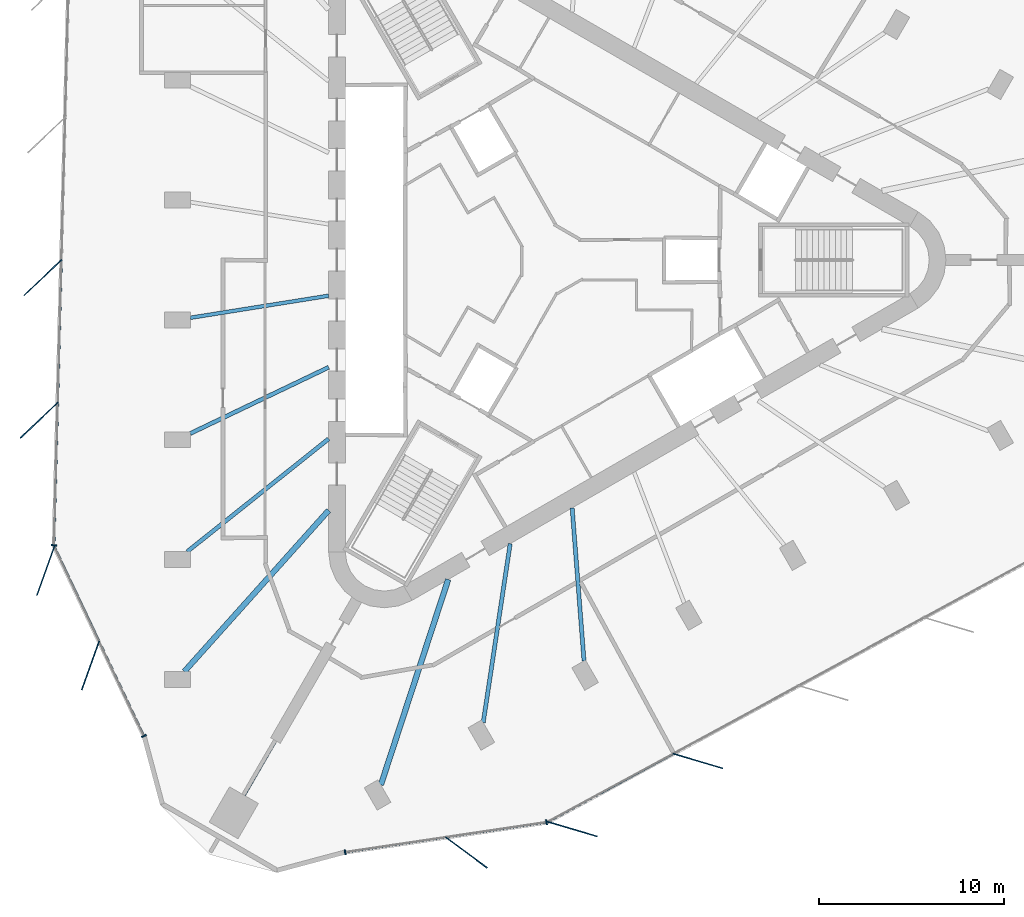
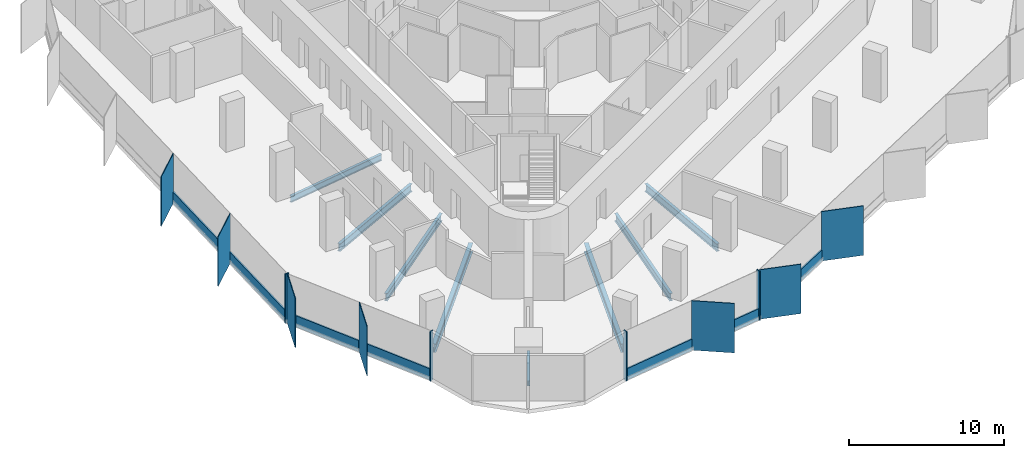
# One storey, part 2 of 13: 18 members, 8 beams, 4 elements without a shape of their own.
"""IFC4 building model written with IfcOpenShell, lengths in metres."""

import ifcopenshell
import ifcopenshell.guid

model = None  # the IFC model being written
_history = None  # IfcOwnerHistory: only IFC2X3 demands one
_inside = {}  # id of a spatial element -> (the spatial element, [elements in it])
_under = {}  # id of a project, library or spatial element -> (it, [spatial elements below it])
_declared = {}  # id of a project -> (the project, [libraries it declares])
_typed = {}  # id of a type object -> (the type object, [elements of that type])
_made_of = {}  # id of a material, layer set ... -> (it, [elements and type objects made of it])


def new_model(schema):
    """Start an empty IFC model of exactly this schema.

    Asked for "IFC4X3", IfcOpenShell would pick the latest addendum, in which some entities
    have other attributes; the version numbers below select the first issue.
    IFC2X3 requires an IfcOwnerHistory on every rooted entity: one is made here for all.
    """
    global model, _history
    if schema == "IFC4X3":
        model = ifcopenshell.file(schema_version=(4, 3, 0, 0))
    else:
        model = ifcopenshell.file(schema=schema)
    _inside.clear()
    _under.clear()
    _declared.clear()
    _typed.clear()
    _made_of.clear()
    _history = None
    if model.schema == "IFC2X3":
        org = make("IfcOrganization", Name="unknown")
        user = make(
            "IfcPersonAndOrganization",
            ThePerson=make("IfcPerson", FamilyName="unknown"),
            TheOrganization=org,
        )
        app = make(
            "IfcApplication",
            ApplicationDeveloper=org,
            Version="unknown",
            ApplicationFullName="unknown",
            ApplicationIdentifier="unknown",
        )
        _history = make(
            "IfcOwnerHistory",
            OwningUser=user,
            OwningApplication=app,
            ChangeAction="ADDED",
            CreationDate=0,
        )
    return model


def make(cls, **values):
    """One entity of the class cls with the attributes given. An attribute that is None is left unset."""
    return model.create_entity(
        cls, **{name: value for name, value in values.items() if value is not None}
    )


def rooted(cls, **values):
    """An entity with a GlobalId (a new one), such as an element, a storey or a relation."""
    return make(cls, GlobalId=ifcopenshell.guid.new(), OwnerHistory=_history, **values)


def si_unit(unit_type, name, prefix=None):
    """IfcSIUnit, for example si_unit("LENGTHUNIT", "METRE", prefix="MILLI")."""
    return make("IfcSIUnit", UnitType=unit_type, Prefix=prefix, Name=name)


def assignment(units):
    """IfcUnitAssignment: the units of a project."""
    return None if units is None else make("IfcUnitAssignment", Units=units)


def point(xyz):
    """IfcCartesianPoint."""
    return None if xyz is None else make("IfcCartesianPoint", Coordinates=xyz)


def direction(xyz):
    """IfcDirection."""
    return None if xyz is None else make("IfcDirection", DirectionRatios=xyz)


def frame(location, z_axis=None, x_axis=None):
    """IfcAxis2Placement3D, a coordinate frame: its origin and axes. An axis left out is left unset."""
    return make(
        "IfcAxis2Placement3D",
        Location=point(location),
        Axis=direction(z_axis),
        RefDirection=direction(x_axis),
    )


def frame_2d(location, x_axis=None):
    """IfcAxis2Placement2D, a coordinate frame in the plane: its origin and x axis."""
    return make(
        "IfcAxis2Placement2D", Location=point(location), RefDirection=direction(x_axis)
    )


def origin():
    """The frame at (0, 0, 0) with its axes left unset."""
    return frame((0.0, 0.0, 0.0))


def origin_2d():
    """The frame at (0, 0) in the plane with its x axis left unset."""
    return frame_2d((0.0, 0.0))


def place(relative_to, where):
    """IfcLocalPlacement: puts the frame where relative to a parent placement (None: the world)."""
    return make(
        "IfcLocalPlacement", PlacementRelTo=relative_to, RelativePlacement=where
    )


def context(
    kind, dimensions, precision=None, world=None, true_north=None, identifier=None
):
    """IfcGeometricRepresentationContext, for example the 3D "Model" context."""
    return make(
        "IfcGeometricRepresentationContext",
        ContextIdentifier=identifier,
        ContextType=kind,
        CoordinateSpaceDimension=dimensions,
        Precision=precision,
        WorldCoordinateSystem=world,
        TrueNorth=true_north,
    )


def subcontext(parent, identifier, kind, view, scale=None):
    """IfcGeometricRepresentationSubContext, for example "Body" below "Model"."""
    return make(
        "IfcGeometricRepresentationSubContext",
        ContextIdentifier=identifier,
        ContextType=kind,
        ParentContext=parent,
        TargetScale=scale,
        TargetView=view,
    )


def project(units=None, contexts=None):
    """IfcProject with its units and contexts."""
    return rooted(
        "IfcProject",
        Name="project",
        RepresentationContexts=contexts,
        UnitsInContext=assignment(units),
    )


def spatial(cls, under=None, at=None, **own):
    """A site, building, storey or space (cls), placed at a placement, below another one or the project."""
    s = rooted(cls, ObjectPlacement=at, **own)
    if under is not None:
        _under.setdefault(under.id(), (under, []))[1].append(s)
    return s


def profile(cls, at=None, kind="AREA", **sizes):
    """A parametric profile (cls). Its sizes go by their IFC names, for example OverallWidth=200.0."""
    return make(cls, ProfileType=kind, Position=at, **sizes)


def rectangle(**sizes):
    """IfcRectangleProfileDef."""
    return profile("IfcRectangleProfileDef", **sizes)


def i_section(**sizes):
    """IfcIShapeProfileDef."""
    return profile("IfcIShapeProfileDef", **sizes)


def extrude(swept, where, along, depth):
    """IfcExtrudedAreaSolid: the profile swept, set in the frame where, extruded along a direction by depth."""
    return make(
        "IfcExtrudedAreaSolid",
        SweptArea=swept,
        Position=where,
        ExtrudedDirection=direction(along),
        Depth=depth,
    )


def shape(context_of_items, identifier, shape_type, items):
    """IfcShapeRepresentation: the items that make up one representation, for example the "Body"."""
    return make(
        "IfcShapeRepresentation",
        ContextOfItems=context_of_items,
        RepresentationIdentifier=identifier,
        RepresentationType=shape_type,
        Items=items,
    )


def material(Name=None, Category=None):
    """IfcMaterial."""
    return make("IfcMaterial", Name=Name, Category=Category)


def material_profile(
    of_material, cross_section, Name=None, Category=None, Priority=None
):
    """IfcMaterialProfile: a cross section and its material."""
    return make(
        "IfcMaterialProfile",
        Name=Name,
        Material=of_material,
        Profile=cross_section,
        Priority=Priority,
        Category=Category,
    )


def profile_set(profiles, Name=None, composite=None):
    """IfcMaterialProfileSet."""
    return make(
        "IfcMaterialProfileSet",
        Name=Name,
        MaterialProfiles=profiles,
        CompositeProfile=composite,
    )


def made_of(thing, what):
    """Note that an element or type object is made of a material, layer set ...; save() writes the relation."""
    if what is not None:
        _made_of.setdefault(what.id(), (what, []))[1].append(thing)
    return thing


def type_object(cls, material=None, **own):
    """A type object (cls), such as IfcWallType, which elements share."""
    return made_of(rooted(cls, **own), material)


def element(
    cls,
    number,
    at=None,
    inside=None,
    cuts=None,
    type_object=None,
    material=None,
    context=None,
    identifier="Body",
    shape_type=None,
    held_by="IfcProductDefinitionShape",
    body=None,
    shapes=None,
    **own,
):
    """One element of the class cls, such as IfcWall. Its Tag is "e" and its number.

    at: its placement. inside: the storey or other place that contains it. cuts: it is an
    opening in that element (IfcRelVoidsElement). A single representation is given by context,
    identifier, shape_type and body (its items); several are given by shapes. held_by: the class
    of the entity that holds the representations. save() writes the other relations.
    """
    e = rooted(cls, Tag="e%d" % number, ObjectPlacement=at, **own)
    if body is not None:
        shapes = [shape(context, identifier, shape_type, body)]
    if shapes is not None:
        e.Representation = make(held_by, Representations=shapes)
    if inside is not None:
        _inside.setdefault(inside.id(), (inside, []))[1].append(e)
    if cuts is not None:
        rooted(
            "IfcRelVoidsElement", RelatingBuildingElement=cuts, RelatedOpeningElement=e
        )
    if type_object is not None:
        _typed.setdefault(type_object.id(), (type_object, []))[1].append(e)
    return made_of(e, material)


def aggregate(whole, parts):
    """IfcRelAggregates: a whole, such as a stair, and the parts it consists of."""
    return rooted("IfcRelAggregates", RelatingObject=whole, RelatedObjects=parts)


def save(model, path):
    """Write the relations noted so far, then the file.

    IfcRelAggregates (storeys below a building ...), IfcRelContainedInSpatialStructure (elements
    in a storey), IfcRelDefinesByType, IfcRelAssociatesMaterial and IfcRelDeclares: one each for
    every whole, place, type object, material and project.
    """
    for whole, parts in _under.values():
        aggregate(whole, parts)
    for where, things in _inside.values():
        rooted(
            "IfcRelContainedInSpatialStructure",
            RelatedElements=things,
            RelatingStructure=where,
        )
    for kind, things in _typed.values():
        rooted("IfcRelDefinesByType", RelatedObjects=things, RelatingType=kind)
    for what, things in _made_of.values():
        rooted("IfcRelAssociatesMaterial", RelatedObjects=things, RelatingMaterial=what)
    for by, libraries in _declared.values():
        rooted("IfcRelDeclares", RelatingContext=by, RelatedDefinitions=libraries)
    model.write(path)


model = new_model("IFC4")

# Units and contexts
model_context = context("Model", 3, precision=1e-05, world=origin(), true_north=direction((0.0, 1.0)))
body_context = subcontext(model_context, "Body", "Model", "MODEL_VIEW")
ifc_project = project(units=[si_unit("LENGTHUNIT", "METRE"), si_unit("AREAUNIT", "SQUARE_METRE"), si_unit("VOLUMEUNIT", "CUBIC_METRE"), si_unit("PLANEANGLEUNIT", "RADIAN"), si_unit("MASSUNIT", "GRAM", prefix="KILO")], contexts=[model_context])

# Site, building, storey
site_placement = place(None, origin())
site = spatial("IfcSite", under=ifc_project, at=site_placement, CompositionType="ELEMENT")
building_placement = place(site_placement, origin())
building = spatial("IfcBuilding", under=site, at=building_placement, Name="Tanit Gate Tower", CompositionType="ELEMENT")
storey_placement = place(building_placement, frame((0.0, 0.0, 326.0)))
storey = spatial("IfcBuildingStorey", under=building, at=storey_placement, Name="L73", CompositionType="ELEMENT", Elevation=326.0)

# Curtain wall, members
ifc_material_1 = material(Name="Aluminium bronze anodised and glass", Category="aluminium")
curtain_wall_type = type_object("IfcCurtainWallType", Name="Curtain wall typical high", PredefinedType="NOTDEFINED", material=ifc_material_1)
curtain_wall_1_placement = place(storey_placement, origin())
curtain_wall_1 = element("IfcCurtainWall", 1, at=curtain_wall_1_placement, inside=storey, type_object=curtain_wall_type, Name="Curtain wall L73 W2", PredefinedType="NOTDEFINED")
ifc_material_2 = material(Name="Aluminium bronze anodised", Category="aluminium")
ifc_material_profile_1 = material_profile(ifc_material_2, rectangle(XDim=2.800048828125, YDim=0.055908203125, at=origin_2d()), Name="56x2800 bronze fin mullion")
ifc_profile_set_1 = profile_set([ifc_material_profile_1], Name="Aluminium bronze anodised")
member_type_1 = type_object("IfcMemberType", Name="FIN MULLION 56x2800 bronze", PredefinedType="MULLION", material=ifc_profile_set_1)
member_1_placement = place(storey_placement, frame((-27.513427734375, -0.94970703125, -0.300048828125), z_axis=(0.0, 0.0, 1.0), x_axis=(0.725295571884, 0.688437603131, 0.0)))
member_1 = element("IfcMember", 2, at=member_1_placement, type_object=member_type_1, Name="Fin mullion L73 W2.3", PredefinedType="MULLION", context=body_context, shape_type="SweptSolid", body=[
    extrude(rectangle(XDim=2.800048828125, YDim=0.055908203125, at=origin_2d()), origin(), (0.0, 0.0, 1.0), 3.900146484375),
])
member_2_placement = place(storey_placement, frame((-27.714111328125, -8.64453125, -0.300048828125), z_axis=(0.0, 0.0, 1.0), x_axis=(0.725295571884, 0.688437603131, 0.0)))
member_2 = element("IfcMember", 3, at=member_2_placement, type_object=member_type_1, Name="Fin mullion L73 W2.4", PredefinedType="MULLION", context=body_context, shape_type="SweptSolid", body=[
    extrude(rectangle(XDim=2.800048828125, YDim=0.055908203125, at=origin_2d()), origin(), (0.0, 0.0, 1.0), 3.900146484375),
])

curtain_wall_2_placement = place(storey_placement, origin())
curtain_wall_2 = element("IfcCurtainWall", 4, at=curtain_wall_2_placement, inside=storey, type_object=curtain_wall_type, Name="Curtain wall L73 W3", PredefinedType="NOTDEFINED")
member_3_placement = place(storey_placement, frame((-27.362548828125, -16.764892578125, -0.300048828125), z_axis=(0.0, 0.0, 1.0), x_axis=(0.336992741052, 0.941507245048, 0.0)))
member_3 = element("IfcMember", 5, at=member_3_placement, type_object=member_type_1, Name="Fin mullion L73 W3.1", PredefinedType="MULLION", context=body_context, shape_type="SweptSolid", body=[
    extrude(rectangle(XDim=2.800048828125, YDim=0.055908203125, at=origin_2d()), origin(), (0.0, 0.0, 1.0), 3.900146484375),
])
member_4_placement = place(storey_placement, frame((-24.94775390625, -21.872314453125, -0.300048828125), z_axis=(0.0, 0.0, 1.0), x_axis=(0.336992741052, 0.941507245048, 0.0)))
member_4 = element("IfcMember", 6, at=member_4_placement, type_object=member_type_1, Name="Fin mullion L73 W3.2", PredefinedType="MULLION", context=body_context, shape_type="SweptSolid", body=[
    extrude(rectangle(XDim=2.800048828125, YDim=0.055908203125, at=origin_2d()), origin(), (0.0, 0.0, 1.0), 3.900146484375),
])

# Curtain wall, member
curtain_wall_3_placement = place(storey_placement, origin())
curtain_wall_3 = element("IfcCurtainWall", 7, at=curtain_wall_3_placement, inside=storey, type_object=curtain_wall_type, Name="Curtain wall L73 SE1", PredefinedType="NOTDEFINED")
member_5_placement = place(storey_placement, frame((-4.669921875, -31.963134765625, -0.300048828125), z_axis=(0.0, 0.0, 1.0), x_axis=(-0.803493025868, 0.595314166958, 0.0)))
member_5 = element("IfcMember", 8, at=member_5_placement, type_object=member_type_1, Name="Fin mullion L73 SE1.2", PredefinedType="MULLION", context=body_context, shape_type="SweptSolid", body=[
    extrude(rectangle(XDim=2.800048828125, YDim=0.055908203125, at=origin_2d()), origin(), (0.0, 0.0, 1.0), 3.900146484375),
])

# Curtain wall, members
curtain_wall_4_placement = place(storey_placement, origin())
curtain_wall_4 = element("IfcCurtainWall", 9, at=curtain_wall_4_placement, inside=storey, type_object=curtain_wall_type, Name="Curtain wall L73 SE2", PredefinedType="NOTDEFINED")
member_6_placement = place(storey_placement, frame((1.05029296875, -30.699951171875, -0.300048828125), z_axis=(0.0, 0.0, 1.0), x_axis=(-0.958852239174, 0.283905588939, 0.0)))
member_6 = element("IfcMember", 10, at=member_6_placement, type_object=member_type_1, Name="Fin mullion L73 SE2.1", PredefinedType="MULLION", context=body_context, shape_type="SweptSolid", body=[
    extrude(rectangle(XDim=2.800048828125, YDim=0.055908203125, at=origin_2d()), origin(), (0.0, 0.0, 1.0), 3.900146484375),
])
member_7_placement = place(storey_placement, frame((7.814697265625, -27.026123046875, -0.300048828125), z_axis=(0.0, 0.0, 1.0), x_axis=(-0.958852239174, 0.283905588939, 0.0)))
member_7 = element("IfcMember", 11, at=member_7_placement, type_object=member_type_1, Name="Fin mullion L73 SE2.2", PredefinedType="MULLION", context=body_context, shape_type="SweptSolid", body=[
    extrude(rectangle(XDim=2.800048828125, YDim=0.055908203125, at=origin_2d()), origin(), (0.0, 0.0, 1.0), 3.900146484375),
])

# Member
ifc_material_3 = material(Name="Aluminium bronze anodised", Category="aluminium")
ifc_material_profile_2 = material_profile(ifc_material_3, rectangle(XDim=0.280029296875, YDim=0.080078125, at=origin_2d()), Name="80x280 bronze mullion")
ifc_profile_set_2 = profile_set([ifc_material_profile_2], Name="Aluminium bronze anodised")
member_type_2 = type_object("IfcMemberType", Name="Mullion 80x280 typical high", PredefinedType="MULLION", material=ifc_profile_set_2)
member_8_placement = place(storey_placement, frame((-26.91357421875, -15.389404296875, -0.300048828125), z_axis=(0.0, 0.0, 1.0), x_axis=(0.999660314842, -0.026062519646, 0.0)))
member_8 = element("IfcMember", 12, at=member_8_placement, type_object=member_type_2, Name="Mullion L73 W2.5", PredefinedType="MULLION", context=body_context, shape_type="SweptSolid", body=[
    extrude(rectangle(XDim=0.280029296875, YDim=0.080078125, at=origin_2d()), origin(), (0.0, 0.0, 1.0), 3.900146484375),
])

member_9_placement = place(storey_placement, frame((-22.067626953125, -25.680419921875, -0.300048828125), z_axis=(0.0, 0.0, 1.0), x_axis=(0.904036009918, 0.427456305102, 0.0)))
member_9 = element("IfcMember", 13, at=member_9_placement, type_object=member_type_2, Name="Mullion L73 W3.3", PredefinedType="MULLION", context=body_context, shape_type="SweptSolid", body=[
    extrude(rectangle(XDim=0.280029296875, YDim=0.080078125, at=origin_2d()), origin(), (0.0, 0.0, 1.0), 3.900146484375),
])

member_10_placement = place(storey_placement, frame((-11.210205078125, -31.94970703125, -0.300048828125), z_axis=(0.0, 0.0, 1.0), x_axis=(-0.147204682835, 0.98910605162, 0.0)))
member_10 = element("IfcMember", 14, at=member_10_placement, type_object=member_type_2, Name="Mullion L73 SE1.1", PredefinedType="MULLION", context=body_context, shape_type="SweptSolid", body=[
    extrude(rectangle(XDim=0.280029296875, YDim=0.080078125, at=origin_2d()), origin(), (0.0, 0.0, 1.0), 3.900146484375),
])

member_11_placement = place(storey_placement, frame((-0.34765625, -30.3330078125, -0.300048828125), z_axis=(0.0, 0.0, 1.0), x_axis=(-0.147204682835, 0.98910605162, 0.0)))
member_11 = element("IfcMember", 15, at=member_11_placement, type_object=member_type_2, Name="Mullion L73 SE1.3", PredefinedType="MULLION", context=body_context, shape_type="SweptSolid", body=[
    extrude(rectangle(XDim=0.280029296875, YDim=0.080078125, at=origin_2d()), origin(), (0.0, 0.0, 1.0), 3.900146484375),
])

# Beams
ifc_material_4 = material(Name="Steel S355", Category="steel")
ifc_material_profile_3 = material_profile(ifc_material_4, i_section(OverallWidth=0.300048828125, OverallDepth=0.68994140625, WebThickness=0.014404296875, FlangeThickness=0.027099609375, FilletRadius=0.027099609375, at=origin_2d()), Name="HEA 700")
ifc_profile_set_3 = profile_set([ifc_material_profile_3], Name="Steel S355")
beam_type_1 = type_object("IfcBeamType", Name="RADIAL GIRDER HEA 700 S355", PredefinedType="BEAM", material=ifc_profile_set_3)
beam_1_placement = place(storey_placement, frame((-19.8828125, -22.198486328125, -0.64501953125), z_axis=(0.667183957843, 0.744892989896, 0.0), x_axis=(-0.744892989896, 0.667183957843, 0.0)))
element("IfcBeam", 16, at=beam_1_placement, inside=storey, type_object=beam_type_1, Name="RADIAL GIRDER", PredefinedType="BEAM", context=body_context, shape_type="SweptSolid", body=[
    extrude(i_section(OverallWidth=0.300048828125, OverallDepth=0.68994140625, WebThickness=0.014404296875, FlangeThickness=0.027099609375, FilletRadius=0.027099609375, at=origin_2d()), origin(), (0.0, 0.0, 1.0), 11.662109375),
])
beam_2_placement = place(storey_placement, frame((-9.283203125, -28.318359375, -0.64501953125), z_axis=(0.311519991774, 0.950239598588, 0.0), x_axis=(-0.950239598588, 0.311519991774, 0.0)))
element("IfcBeam", 17, at=beam_2_placement, inside=storey, type_object=beam_type_1, Name="RADIAL GIRDER", PredefinedType="BEAM", context=body_context, shape_type="SweptSolid", body=[
    extrude(i_section(OverallWidth=0.300048828125, OverallDepth=0.68994140625, WebThickness=0.014404296875, FlangeThickness=0.027099609375, FilletRadius=0.027099609375, at=origin_2d()), origin(), (0.0, 0.0, 1.0), 11.662353515625),
])
ifc_material_5 = material(Name="Steel S355", Category="steel")
ifc_material_profile_4 = material_profile(ifc_material_5, i_section(OverallWidth=0.179931640625, OverallDepth=0.39990234375, WebThickness=0.008544921875, FlangeThickness=0.013427734375, FilletRadius=0.02099609375, at=origin_2d()), Name="IPE 400")
ifc_profile_set_4 = profile_set([ifc_material_profile_4], Name="Steel S355")
beam_type_2 = type_object("IfcBeamType", Name="RADIAL GIRDER IPE 400 S355", PredefinedType="BEAM", material=ifc_profile_set_4)
beam_3_placement = place(storey_placement, frame((-16.66748046875, -28.868896484375, -0.5), z_axis=(0.500041741429, 0.866001303018, 0.0), x_axis=(-0.866001303018, 0.500041741429, 0.0)))
element("IfcBeam", 18, at=beam_3_placement, inside=storey, type_object=beam_type_2, Name="RADIAL GIRDER", PredefinedType="BEAM", context=body_context, shape_type="SweptSolid", body=[
    extrude(i_section(OverallWidth=0.179931640625, OverallDepth=0.39990234375, WebThickness=0.008544921875, FlangeThickness=0.013427734375, FilletRadius=0.02099609375, at=origin_2d()), origin(), (0.0, 0.0, 1.0), 3.397705078125),
])
ifc_material_6 = material(Name="Steel S355", Category="steel")
ifc_material_profile_5 = material_profile(ifc_material_6, i_section(OverallWidth=0.199951171875, OverallDepth=0.5, WebThickness=0.01025390625, FlangeThickness=0.01611328125, FilletRadius=0.02099609375, at=origin_2d()), Name="IPE 500")
ifc_profile_set_5 = profile_set([ifc_material_profile_5], Name="Steel S355")
beam_type_3 = type_object("IfcBeamType", Name="RADIAL GIRDER IPE 500 S355", PredefinedType="BEAM", material=ifc_profile_set_5)
beam_4_placement = place(storey_placement, frame((-19.563720703125, -3.120361328125, -0.550048828125), z_axis=(0.987516531299, 0.157515397379, 0.0), x_axis=(-0.157515397379, 0.987516531299, 0.0)))
element("IfcBeam", 19, at=beam_4_placement, inside=storey, type_object=beam_type_3, Name="RADIAL GIRDER", PredefinedType="BEAM", context=body_context, shape_type="SweptSolid", body=[
    extrude(i_section(OverallWidth=0.199951171875, OverallDepth=0.5, WebThickness=0.01025390625, FlangeThickness=0.01611328125, FilletRadius=0.02099609375, at=origin_2d()), origin(), (0.0, 0.0, 1.0), 7.555908203125),
])
ifc_material_7 = material(Name="Steel S355", Category="steel")
ifc_material_profile_6 = material_profile(ifc_material_7, i_section(OverallWidth=0.219970703125, OverallDepth=0.60009765625, WebThickness=0.011962890625, FlangeThickness=0.01904296875, FilletRadius=0.02392578125, at=origin_2d()), Name="IPE 600")
ifc_profile_set_6 = profile_set([ifc_material_profile_6], Name="Steel S355")
beam_type_4 = type_object("IfcBeamType", Name="RADIAL GIRDER IPE 600 S355", PredefinedType="BEAM", material=ifc_profile_set_6)
beam_5_placement = place(storey_placement, frame((-19.563720703125, -9.36083984375, -0.60009765625), z_axis=(0.902054789369, 0.431621543688, 0.0), x_axis=(-0.431621543688, 0.902054789369, 0.0)))
element("IfcBeam", 20, at=beam_5_placement, inside=storey, type_object=beam_type_4, Name="RADIAL GIRDER", PredefinedType="BEAM", context=body_context, shape_type="SweptSolid", body=[
    extrude(i_section(OverallWidth=0.219970703125, OverallDepth=0.60009765625, WebThickness=0.011962890625, FlangeThickness=0.01904296875, FilletRadius=0.02392578125, at=origin_2d()), origin(), (0.0, 0.0, 1.0), 8.27197265625),
])
beam_6_placement = place(storey_placement, frame((-19.730712890625, -15.734619140625, -0.60009765625), z_axis=(0.781827225561, 0.623495139814, 0.0), x_axis=(-0.623495139814, 0.781827225561, 0.0)))
element("IfcBeam", 21, at=beam_6_placement, inside=storey, type_object=beam_type_4, Name="RADIAL GIRDER", PredefinedType="BEAM", context=body_context, shape_type="SweptSolid", body=[
    extrude(i_section(OverallWidth=0.219970703125, OverallDepth=0.60009765625, WebThickness=0.011962890625, FlangeThickness=0.01904296875, FilletRadius=0.02392578125, at=origin_2d()), origin(), (0.0, 0.0, 1.0), 9.757568359375),
])
beam_7_placement = place(storey_placement, frame((-3.76123046875, -24.95458984375, -0.60009765625), z_axis=(0.1490500566, 0.988829651976, 0.0), x_axis=(-0.988829651976, 0.1490500566, 0.0)))
element("IfcBeam", 22, at=beam_7_placement, inside=storey, type_object=beam_type_4, Name="RADIAL GIRDER", PredefinedType="BEAM", context=body_context, shape_type="SweptSolid", body=[
    extrude(i_section(OverallWidth=0.219970703125, OverallDepth=0.60009765625, WebThickness=0.011962890625, FlangeThickness=0.01904296875, FilletRadius=0.02392578125, at=origin_2d()), origin(), (0.0, 0.0, 1.0), 9.75732421875),
])
beam_8_placement = place(storey_placement, frame((1.675048828125, -21.623046875, -0.60009765625), z_axis=(-0.077240429266, 0.997012495452, 0.0), x_axis=(-0.997012495452, -0.077240429266, 0.0)))
element("IfcBeam", 23, at=beam_8_placement, inside=storey, type_object=beam_type_4, Name="RADIAL GIRDER", PredefinedType="BEAM", context=body_context, shape_type="SweptSolid", body=[
    extrude(i_section(OverallWidth=0.219970703125, OverallDepth=0.60009765625, WebThickness=0.011962890625, FlangeThickness=0.01904296875, FilletRadius=0.02392578125, at=origin_2d()), origin(), (0.0, 0.0, 1.0), 8.271728515625),
])

# Member
ifc_material_8 = material(Name="Aluminium bronze anodised", Category="aluminium")
ifc_material_profile_7 = material_profile(ifc_material_8, rectangle(XDim=0.1201171875, YDim=0.89990234375, at=origin_2d()), Name="120x900 bronze transom")
ifc_profile_set_7 = profile_set([ifc_material_profile_7], Name="Aluminium bronze anodised")
member_type_3 = type_object("IfcMemberType", Name="Transom 120x900 typical high", PredefinedType="USERDEFINED", material=ifc_profile_set_7)
member_12_placement = place(storey_placement, frame((-26.513427734375, -0.03955078125, 0.14990234375), z_axis=(-0.026056361338, -0.999660475378, 0.0), x_axis=(0.999660475378, -0.026056361338, 0.0)))
member_12 = element("IfcMember", 24, at=member_12_placement, type_object=member_type_3, Name="Transom L73 W2.3", ObjectType="TRANSOM", PredefinedType="USERDEFINED", context=body_context, shape_type="SweptSolid", body=[
    extrude(rectangle(XDim=0.1201171875, YDim=0.89990234375, at=origin_2d()), origin(), (0.0, 0.0, 1.0), 7.61767578125),
])

member_13_placement = place(storey_placement, frame((-26.7138671875, -7.734375, 0.14990234375), z_axis=(-0.026088389183, -0.999659640052, 0.0), x_axis=(0.999659640052, -0.026088389183, 0.0)))
member_13 = element("IfcMember", 25, at=member_13_placement, type_object=member_type_3, Name="Transom L73 W2.4", ObjectType="TRANSOM", PredefinedType="USERDEFINED", context=body_context, shape_type="SweptSolid", body=[
    extrude(rectangle(XDim=0.1201171875, YDim=0.89990234375, at=origin_2d()), origin(), (0.0, 0.0, 1.0), 7.61767578125),
])

aggregate(curtain_wall_1, [member_1, member_2, member_8, member_12, member_13])

member_14_placement = place(storey_placement, frame((-26.88037109375, -15.501708984375, 0.14990234375), z_axis=(0.42743238128, -0.904047321457, 0.0), x_axis=(0.904047321457, 0.42743238128, 0.0)))
member_14 = element("IfcMember", 26, at=member_14_placement, type_object=member_type_3, Name="Transom L73 W3.1", ObjectType="TRANSOM", PredefinedType="USERDEFINED", context=body_context, shape_type="SweptSolid", body=[
    extrude(rectangle(XDim=0.1201171875, YDim=0.89990234375, at=origin_2d()), origin(), (0.0, 0.0, 1.0), 5.569580078125),
])

member_15_placement = place(storey_placement, frame((-24.46533203125, -20.609130859375, 0.14990234375), z_axis=(0.427449320451, -0.904039312445, 0.0), x_axis=(0.904039312445, 0.427449320451, 0.0)))
member_15 = element("IfcMember", 27, at=member_15_placement, type_object=member_type_3, Name="Transom L73 W3.2", ObjectType="TRANSOM", PredefinedType="USERDEFINED", context=body_context, shape_type="SweptSolid", body=[
    extrude(rectangle(XDim=0.1201171875, YDim=0.89990234375, at=origin_2d()), origin(), (0.0, 0.0, 1.0), 5.5693359375),
])

aggregate(curtain_wall_2, [member_3, member_4, member_9, member_14, member_15])

member_16_placement = place(storey_placement, frame((-11.170654296875, -31.94384765625, 0.14990234375), z_axis=(0.989103182264, 0.147223961487, 0.0), x_axis=(-0.147223961487, 0.989103182264, 0.0)))
member_16 = element("IfcMember", 28, at=member_16_placement, type_object=member_type_3, Name="Transom L73 SE1.1", ObjectType="TRANSOM", PredefinedType="USERDEFINED", context=body_context, shape_type="SweptSolid", body=[
    extrude(rectangle(XDim=0.1201171875, YDim=0.89990234375, at=origin_2d()), origin(), (0.0, 0.0, 1.0), 5.4111328125),
])

member_17_placement = place(storey_placement, frame((-5.739501953125, -31.135498046875, 0.14990234375), z_axis=(0.989104160152, 0.147217391533, 0.0), x_axis=(-0.147217391533, 0.989104160152, 0.0)))
member_17 = element("IfcMember", 29, at=member_17_placement, type_object=member_type_3, Name="Transom L73 SE1.2", ObjectType="TRANSOM", PredefinedType="USERDEFINED", context=body_context, shape_type="SweptSolid", body=[
    extrude(rectangle(XDim=0.1201171875, YDim=0.89990234375, at=origin_2d()), origin(), (0.0, 0.0, 1.0), 5.411376953125),
])

aggregate(curtain_wall_3, [member_10, member_5, member_11, member_16, member_17])

member_18_placement = place(storey_placement, frame((-0.23779296875, -30.2890625, 0.14990234375), z_axis=(0.878767412966, 0.477250284346, 0.0), x_axis=(-0.477250284346, 0.878767412966, 0.0)))
member_18 = element("IfcMember", 30, at=member_18_placement, type_object=member_type_3, Name="Transom L73 SE2.1", ObjectType="TRANSOM", PredefinedType="USERDEFINED", context=body_context, shape_type="SweptSolid", body=[
    extrude(rectangle(XDim=0.1201171875, YDim=0.89990234375, at=origin_2d()), origin(), (0.0, 0.0, 1.0), 7.61767578125),
])

aggregate(curtain_wall_4, [member_6, member_7, member_18])

save(model, "model.ifc")
